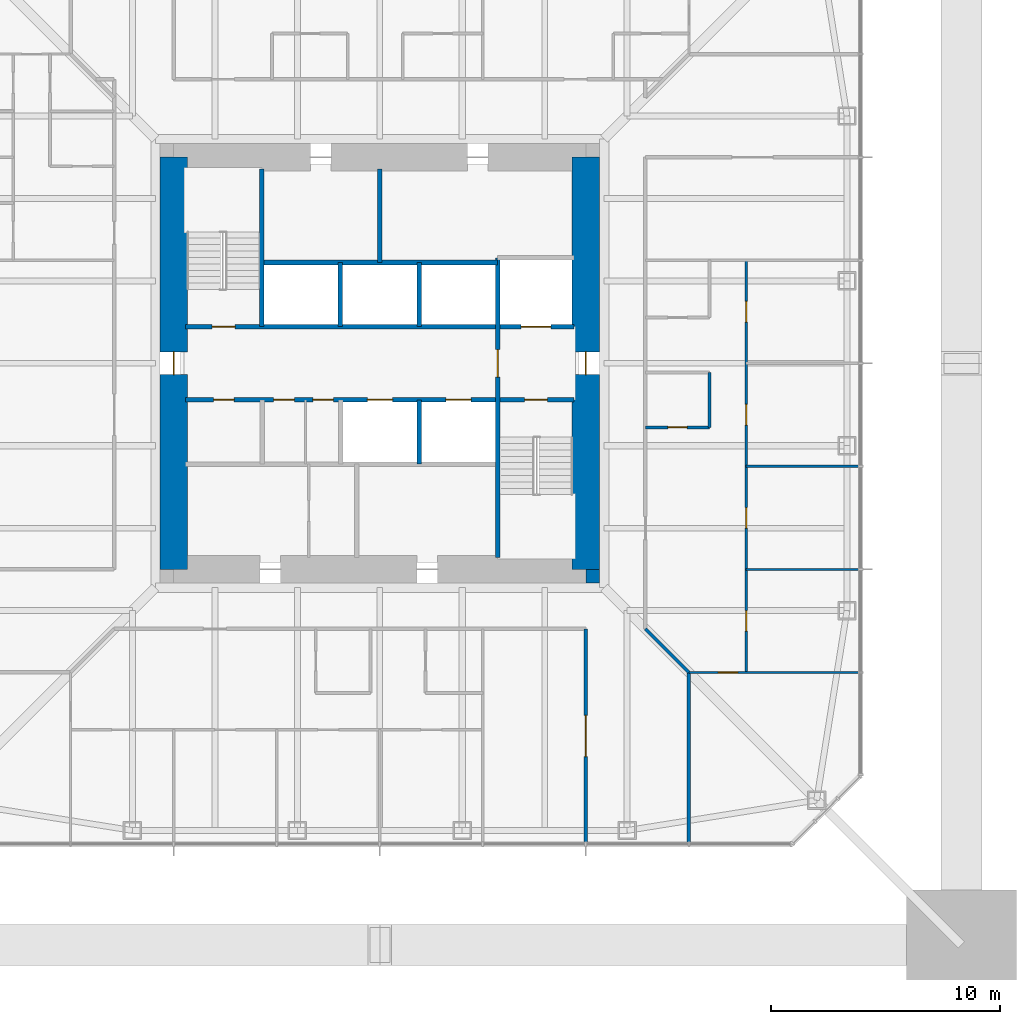
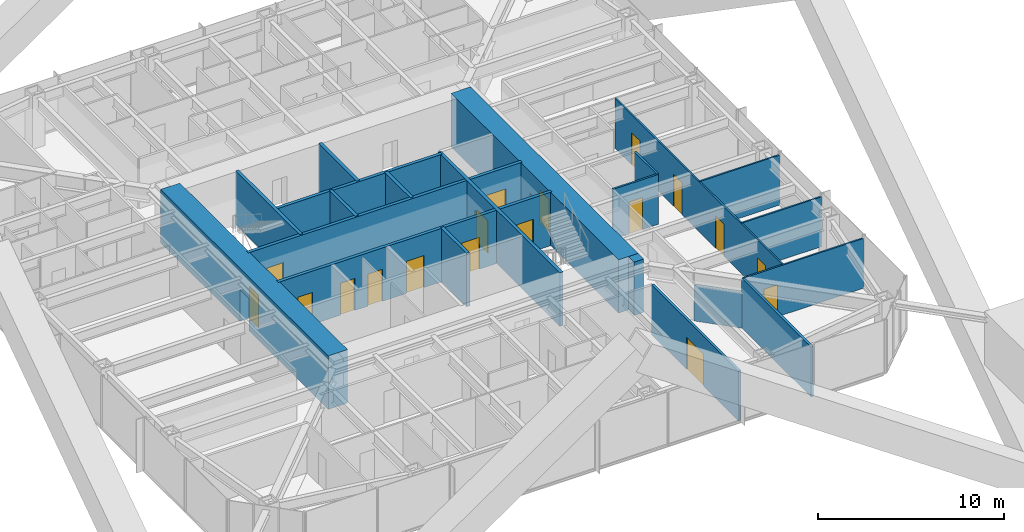
# One storey, part 15 of 26: 21 walls, 18 doors, 18 openings.
"""IFC4 building model written with IfcOpenShell, lengths in metres."""

import ifcopenshell
import ifcopenshell.guid

model = None  # the IFC model being written
_history = None  # IfcOwnerHistory: only IFC2X3 demands one
_inside = {}  # id of a spatial element -> (the spatial element, [elements in it])
_under = {}  # id of a project, library or spatial element -> (it, [spatial elements below it])
_declared = {}  # id of a project -> (the project, [libraries it declares])
_typed = {}  # id of a type object -> (the type object, [elements of that type])
_made_of = {}  # id of a material, layer set ... -> (it, [elements and type objects made of it])


def new_model(schema):
    """Start an empty IFC model of exactly this schema.

    Asked for "IFC4X3", IfcOpenShell would pick the latest addendum, in which some entities
    have other attributes; the version numbers below select the first issue.
    IFC2X3 requires an IfcOwnerHistory on every rooted entity: one is made here for all.
    """
    global model, _history
    if schema == "IFC4X3":
        model = ifcopenshell.file(schema_version=(4, 3, 0, 0))
    else:
        model = ifcopenshell.file(schema=schema)
    _inside.clear()
    _under.clear()
    _declared.clear()
    _typed.clear()
    _made_of.clear()
    _history = None
    if model.schema == "IFC2X3":
        org = make("IfcOrganization", Name="unknown")
        user = make(
            "IfcPersonAndOrganization",
            ThePerson=make("IfcPerson", FamilyName="unknown"),
            TheOrganization=org,
        )
        app = make(
            "IfcApplication",
            ApplicationDeveloper=org,
            Version="unknown",
            ApplicationFullName="unknown",
            ApplicationIdentifier="unknown",
        )
        _history = make(
            "IfcOwnerHistory",
            OwningUser=user,
            OwningApplication=app,
            ChangeAction="ADDED",
            CreationDate=0,
        )
    return model


def make(cls, **values):
    """One entity of the class cls with the attributes given. An attribute that is None is left unset."""
    return model.create_entity(
        cls, **{name: value for name, value in values.items() if value is not None}
    )


def rooted(cls, **values):
    """An entity with a GlobalId (a new one), such as an element, a storey or a relation."""
    return make(cls, GlobalId=ifcopenshell.guid.new(), OwnerHistory=_history, **values)


def si_unit(unit_type, name, prefix=None):
    """IfcSIUnit, for example si_unit("LENGTHUNIT", "METRE", prefix="MILLI")."""
    return make("IfcSIUnit", UnitType=unit_type, Prefix=prefix, Name=name)


def assignment(units):
    """IfcUnitAssignment: the units of a project."""
    return None if units is None else make("IfcUnitAssignment", Units=units)


def point(xyz):
    """IfcCartesianPoint."""
    return None if xyz is None else make("IfcCartesianPoint", Coordinates=xyz)


def direction(xyz):
    """IfcDirection."""
    return None if xyz is None else make("IfcDirection", DirectionRatios=xyz)


def frame(location, z_axis=None, x_axis=None):
    """IfcAxis2Placement3D, a coordinate frame: its origin and axes. An axis left out is left unset."""
    return make(
        "IfcAxis2Placement3D",
        Location=point(location),
        Axis=direction(z_axis),
        RefDirection=direction(x_axis),
    )


def frame_2d(location, x_axis=None):
    """IfcAxis2Placement2D, a coordinate frame in the plane: its origin and x axis."""
    return make(
        "IfcAxis2Placement2D", Location=point(location), RefDirection=direction(x_axis)
    )


def origin():
    """The frame at (0, 0, 0) with its axes left unset."""
    return frame((0.0, 0.0, 0.0))


def place(relative_to, where):
    """IfcLocalPlacement: puts the frame where relative to a parent placement (None: the world)."""
    return make(
        "IfcLocalPlacement", PlacementRelTo=relative_to, RelativePlacement=where
    )


def context(
    kind, dimensions, precision=None, world=None, true_north=None, identifier=None
):
    """IfcGeometricRepresentationContext, for example the 3D "Model" context."""
    return make(
        "IfcGeometricRepresentationContext",
        ContextIdentifier=identifier,
        ContextType=kind,
        CoordinateSpaceDimension=dimensions,
        Precision=precision,
        WorldCoordinateSystem=world,
        TrueNorth=true_north,
    )


def subcontext(parent, identifier, kind, view, scale=None):
    """IfcGeometricRepresentationSubContext, for example "Body" below "Model"."""
    return make(
        "IfcGeometricRepresentationSubContext",
        ContextIdentifier=identifier,
        ContextType=kind,
        ParentContext=parent,
        TargetScale=scale,
        TargetView=view,
    )


def project(units=None, contexts=None):
    """IfcProject with its units and contexts."""
    return rooted(
        "IfcProject",
        Name="project",
        RepresentationContexts=contexts,
        UnitsInContext=assignment(units),
    )


def spatial(cls, under=None, at=None, **own):
    """A site, building, storey or space (cls), placed at a placement, below another one or the project."""
    s = rooted(cls, ObjectPlacement=at, **own)
    if under is not None:
        _under.setdefault(under.id(), (under, []))[1].append(s)
    return s


def profile(cls, at=None, kind="AREA", **sizes):
    """A parametric profile (cls). Its sizes go by their IFC names, for example OverallWidth=200.0."""
    return make(cls, ProfileType=kind, Position=at, **sizes)


def rectangle(**sizes):
    """IfcRectangleProfileDef."""
    return profile("IfcRectangleProfileDef", **sizes)


def extrude(swept, where, along, depth):
    """IfcExtrudedAreaSolid: the profile swept, set in the frame where, extruded along a direction by depth."""
    return make(
        "IfcExtrudedAreaSolid",
        SweptArea=swept,
        Position=where,
        ExtrudedDirection=direction(along),
        Depth=depth,
    )


def shape(context_of_items, identifier, shape_type, items):
    """IfcShapeRepresentation: the items that make up one representation, for example the "Body"."""
    return make(
        "IfcShapeRepresentation",
        ContextOfItems=context_of_items,
        RepresentationIdentifier=identifier,
        RepresentationType=shape_type,
        Items=items,
    )


def material(Name=None, Category=None):
    """IfcMaterial."""
    return make("IfcMaterial", Name=Name, Category=Category)


def layer(
    of_material, thickness, ventilated=None, Name=None, Category=None, Priority=None
):
    """IfcMaterialLayer: one layer of a wall or slab, of a material (None: an air gap)."""
    return make(
        "IfcMaterialLayer",
        Material=of_material,
        LayerThickness=thickness,
        IsVentilated=ventilated,
        Name=Name,
        Category=Category,
        Priority=Priority,
    )


def layer_set(layers, Name=None):
    """IfcMaterialLayerSet."""
    return make("IfcMaterialLayerSet", MaterialLayers=layers, LayerSetName=Name)


def made_of(thing, what):
    """Note that an element or type object is made of a material, layer set ...; save() writes the relation."""
    if what is not None:
        _made_of.setdefault(what.id(), (what, []))[1].append(thing)
    return thing


def type_object(cls, material=None, **own):
    """A type object (cls), such as IfcWallType, which elements share."""
    return made_of(rooted(cls, **own), material)


def element(
    cls,
    number,
    at=None,
    inside=None,
    cuts=None,
    type_object=None,
    material=None,
    context=None,
    identifier="Body",
    shape_type=None,
    held_by="IfcProductDefinitionShape",
    body=None,
    shapes=None,
    **own,
):
    """One element of the class cls, such as IfcWall. Its Tag is "e" and its number.

    at: its placement. inside: the storey or other place that contains it. cuts: it is an
    opening in that element (IfcRelVoidsElement). A single representation is given by context,
    identifier, shape_type and body (its items); several are given by shapes. held_by: the class
    of the entity that holds the representations. save() writes the other relations.
    """
    e = rooted(cls, Tag="e%d" % number, ObjectPlacement=at, **own)
    if body is not None:
        shapes = [shape(context, identifier, shape_type, body)]
    if shapes is not None:
        e.Representation = make(held_by, Representations=shapes)
    if inside is not None:
        _inside.setdefault(inside.id(), (inside, []))[1].append(e)
    if cuts is not None:
        rooted(
            "IfcRelVoidsElement", RelatingBuildingElement=cuts, RelatedOpeningElement=e
        )
    if type_object is not None:
        _typed.setdefault(type_object.id(), (type_object, []))[1].append(e)
    return made_of(e, material)


def fill(opening, filler):
    """IfcRelFillsElement: the door or window that sits in an opening."""
    return rooted(
        "IfcRelFillsElement",
        RelatingOpeningElement=opening,
        RelatedBuildingElement=filler,
    )


def aggregate(whole, parts):
    """IfcRelAggregates: a whole, such as a stair, and the parts it consists of."""
    return rooted("IfcRelAggregates", RelatingObject=whole, RelatedObjects=parts)


def save(model, path):
    """Write the relations noted so far, then the file.

    IfcRelAggregates (storeys below a building ...), IfcRelContainedInSpatialStructure (elements
    in a storey), IfcRelDefinesByType, IfcRelAssociatesMaterial and IfcRelDeclares: one each for
    every whole, place, type object, material and project.
    """
    for whole, parts in _under.values():
        aggregate(whole, parts)
    for where, things in _inside.values():
        rooted(
            "IfcRelContainedInSpatialStructure",
            RelatedElements=things,
            RelatingStructure=where,
        )
    for kind, things in _typed.values():
        rooted("IfcRelDefinesByType", RelatedObjects=things, RelatingType=kind)
    for what, things in _made_of.values():
        rooted("IfcRelAssociatesMaterial", RelatedObjects=things, RelatingMaterial=what)
    for by, libraries in _declared.values():
        rooted("IfcRelDeclares", RelatingContext=by, RelatedDefinitions=libraries)
    model.write(path)


model = new_model("IFC4")

# Units and contexts
model_context = context("Model", 3, precision=1e-05, world=origin(), true_north=direction((0.0, 1.0)))
body_context = subcontext(model_context, "Body", "Model", "MODEL_VIEW")
ifc_project = project(units=[si_unit("LENGTHUNIT", "METRE"), si_unit("AREAUNIT", "SQUARE_METRE"), si_unit("VOLUMEUNIT", "CUBIC_METRE"), si_unit("PLANEANGLEUNIT", "RADIAN"), si_unit("MASSUNIT", "GRAM", prefix="KILO")], contexts=[model_context])

# Site, building, storey
site_placement = place(None, origin())
site = spatial("IfcSite", under=ifc_project, at=site_placement, CompositionType="ELEMENT")
building_placement = place(site_placement, origin())
building = spatial("IfcBuilding", under=site, at=building_placement, Name="Iwan Alto Co-Living Towers", CompositionType="ELEMENT")
storey_placement = place(building_placement, frame((0.0, 0.0, 115.5)))
storey = spatial("IfcBuildingStorey", under=building, at=storey_placement, Name="L31", CompositionType="ELEMENT", Elevation=115.5)

# Wall
ifc_material_1 = material(Name="Gypsum board")
ifc_layer_1 = layer(ifc_material_1, 0.02490234375, Name="Board", Category="Finish")
ifc_material_2 = material(Name="Steel ASTM A1003 ST33H cold-formed studs", Category="steel")
ifc_layer_2 = layer(ifc_material_2, 0.10009765625, Name="Studs", Category="Framing")
ifc_layer_3 = layer(ifc_material_1, 0.02490234375, Name="Board", Category="Finish")
ifc_layer_set_1 = layer_set([ifc_layer_1, ifc_layer_2, ifc_layer_3], Name="CORRIDOR WALL 150")
wall_type_1 = type_object("IfcWallType", Name="CORRIDOR WALL 150", PredefinedType="PARTITIONING", material=ifc_layer_set_1)
wall_1_placement = place(storey_placement, frame((13.5, -20.93994140625, 0.0), z_axis=(0.0, 0.0, 1.0), x_axis=(0.0, 1.0, 0.0)))
element("IfcWall", 1, at=wall_1_placement, inside=storey, type_object=wall_type_1, Name="Partition L31", PredefinedType="PARTITIONING", context=body_context, shape_type="SweptSolid", body=[
    extrude(rectangle(XDim=7.43994140625, YDim=0.14990234375, at=frame_2d((3.719970703125, 0.0))), origin(), (0.0, 0.0, 1.0), 3.27001953125),
])

# Wall, opening, door
wall_2_placement = place(storey_placement, frame((9.0, -20.93994140625, 0.0), z_axis=(0.0, 0.0, 1.0), x_axis=(0.0, 1.0, 0.0)))
wall_2 = element("IfcWall", 2, at=wall_2_placement, inside=storey, type_object=wall_type_1, Name="Partition L31", PredefinedType="PARTITIONING", context=body_context, shape_type="SweptSolid", body=[
    extrude(rectangle(XDim=9.33984375, YDim=0.14990234375, at=frame_2d((4.669921875, 0.0))), origin(), (0.0, 0.0, 1.0), 3.27001953125),
])
opening_1_placement = place(wall_2_placement, frame((3.77001953125, 0.0, 0.0)))
opening_1 = element("IfcOpeningElement", 3, at=opening_1_placement, cuts=wall_2, Name="Opening D9", PredefinedType="OPENING", context=body_context, shape_type="SweptSolid", body=[
    extrude(rectangle(XDim=1.800048828125, YDim=2.10009765625, at=frame_2d((0.89990234375, 1.050048828125))), frame((0.0, 0.0849609375, 0.0), z_axis=(0.0, -1.0, 0.0), x_axis=(1.0, 0.0, 0.0)), (0.0, 0.0, 1.0), 0.169921875),
])
ifc_material_3 = material(Name="Steel frame with timber leaf", Category="steel")
door_type_1 = type_object("IfcDoorType", Name="LOUNGE DOOR FD30S 1800X2100", OperationType="DOUBLE_DOOR_SINGLE_SWING", PredefinedType="DOOR", material=ifc_material_3)
door_1_placement = place(opening_1_placement, origin())
door_1 = element("IfcDoor", 4, at=door_1_placement, inside=storey, type_object=door_type_1, Name="Co-working room door L31", OperationType="DOUBLE_DOOR_SINGLE_SWING", OverallHeight=2.10009765625, OverallWidth=1.800048828125, PredefinedType="DOOR", context=body_context, shape_type="SweptSolid", body=[
    extrude(rectangle(XDim=1.800048828125, YDim=2.10009765625, at=frame_2d((0.89990234375, 1.050048828125))), frame((0.0, 0.02490234375, 0.0), z_axis=(0.0, -1.0, 0.0), x_axis=(1.0, 0.0, 0.0)), (0.0, 0.0, 1.0), 0.050048828125),
])
fill(opening_1, door_1)

# Wall
wall_3_placement = place(storey_placement, frame((13.5, -13.5, 0.0), z_axis=(0.0, 0.0, 1.0), x_axis=(-0.707106781187, 0.707106781187, 0.0)))
element("IfcWall", 5, at=wall_3_placement, inside=storey, type_object=wall_type_1, Name="Partition L31", PredefinedType="PARTITIONING", context=body_context, shape_type="SweptSolid", body=[
    extrude(rectangle(XDim=2.686767578125, YDim=0.14990234375, at=frame_2d((1.34326171875, 0.0))), origin(), (0.0, 0.0, 1.0), 2.343017578125),
])

# Wall, opening, door
ifc_layer_4 = layer(ifc_material_1, 0.012451171875, Name="Board", Category="Finish")
ifc_layer_5 = layer(ifc_material_2, 0.074951171875, Name="Studs", Category="Framing")
ifc_layer_6 = layer(ifc_material_1, 0.012451171875, Name="Board", Category="Finish")
ifc_layer_set_2 = layer_set([ifc_layer_4, ifc_layer_5, ifc_layer_6], Name="PARTITION 100")
wall_type_2 = type_object("IfcWallType", Name="PARTITION 100", PredefinedType="PARTITIONING", material=ifc_layer_set_2)
wall_4_placement = place(storey_placement, frame((13.5, -13.5, 0.0), z_axis=(0.0, 0.0, 1.0), x_axis=(1.0, 0.0, 0.0)))
wall_4 = element("IfcWall", 6, at=wall_4_placement, inside=storey, type_object=wall_type_2, Name="Partition L31", PredefinedType="PARTITIONING", context=body_context, shape_type="SweptSolid", body=[
    extrude(rectangle(XDim=7.43994140625, YDim=0.10009765625, at=frame_2d((3.719970703125, 0.0))), origin(), (0.0, 0.0, 1.0), 3.27001953125),
])
opening_2_placement = place(wall_4_placement, frame((1.27490234375, 0.0, 0.0)))
opening_2 = element("IfcOpeningElement", 7, at=opening_2_placement, cuts=wall_4, Name="Opening D2", PredefinedType="OPENING", context=body_context, shape_type="SweptSolid", body=[
    extrude(rectangle(XDim=0.85009765625, YDim=2.10009765625, at=frame_2d((0.425048828125, 1.050048828125))), frame((0.0, 0.06005859375, 0.0), z_axis=(0.0, -1.0, 0.0), x_axis=(1.0, 0.0, 0.0)), (0.0, 0.0, 1.0), 0.1201171875),
])
ifc_material_4 = material(Name="Timber leaf in steel frame", Category="steel")
door_type_2 = type_object("IfcDoorType", Name="ROOM DOOR 850X2100", OperationType="SINGLE_SWING_LEFT", PredefinedType="DOOR", material=ifc_material_4)
door_2_placement = place(opening_2_placement, origin())
door_2 = element("IfcDoor", 8, at=door_2_placement, inside=storey, type_object=door_type_2, Name="Shared kitchen and lounge door L31", OperationType="SINGLE_SWING_RIGHT", OverallHeight=2.10009765625, OverallWidth=0.85009765625, PredefinedType="DOOR", context=body_context, shape_type="SweptSolid", body=[
    extrude(rectangle(XDim=0.85009765625, YDim=2.10009765625, at=frame_2d((0.425048828125, 1.050048828125))), frame((0.0, 0.02490234375, 0.0), z_axis=(0.0, -1.0, 0.0), x_axis=(1.0, 0.0, 0.0)), (0.0, 0.0, 1.0), 0.050048828125),
])
fill(opening_2, door_2)

# Walls
for number, where, z_axis, x_axis, name in (
    (9, (16.0, -9.0, 0.0), (0.0, 0.0, 1.0), (1.0, 0.0, 0.0), "Partition L31"),
    (10, (16.0, -4.5, 0.0), (0.0, 0.0, 1.0), (1.0, 0.0, 0.0), "Partition L31"),
):
    element("IfcWall", number, at=place(storey_placement, frame(where, z_axis=z_axis, x_axis=x_axis)), inside=storey, type_object=wall_type_2, Name=name, PredefinedType="PARTITIONING", context=body_context, shape_type="SweptSolid", body=[
        extrude(rectangle(XDim=4.93994140625, YDim=0.10009765625, at=frame_2d((2.469970703125, 0.0))), origin(), (0.0, 0.0, 1.0), 3.27001953125),
    ])

# Wall, openings, doors
wall_5_placement = place(storey_placement, frame((16.0, -13.5, 0.0), z_axis=(0.0, 0.0, 1.0), x_axis=(0.0, 1.0, 0.0)))
wall_5 = element("IfcWall", 11, at=wall_5_placement, inside=storey, type_object=wall_type_2, Name="Partition L31", PredefinedType="PARTITIONING", context=body_context, shape_type="SweptSolid", body=[
    extrude(rectangle(XDim=18.0, YDim=0.10009765625, at=frame_2d((9.0, 0.0))), origin(), (0.0, 0.0, 1.0), 3.27001953125),
])
opening_3_placement = place(wall_5_placement, frame((1.800048828125, 0.0, 0.0)))
opening_3 = element("IfcOpeningElement", 12, at=opening_3_placement, cuts=wall_5, Name="Opening D1", PredefinedType="OPENING", context=body_context, shape_type="SweptSolid", body=[
    extrude(rectangle(XDim=0.89990234375, YDim=2.10009765625, at=frame_2d((0.449951171875, 1.050048828125))), frame((0.0, 0.06005859375, 0.0), z_axis=(0.0, -1.0, 0.0), x_axis=(1.0, 0.0, 0.0)), (0.0, 0.0, 1.0), 0.1201171875),
])
opening_4_placement = place(wall_5_placement, frame((6.300048828125, 0.0, 0.0)))
opening_4 = element("IfcOpeningElement", 13, at=opening_4_placement, cuts=wall_5, Name="Opening D1", PredefinedType="OPENING", context=body_context, shape_type="SweptSolid", body=[
    extrude(rectangle(XDim=0.89990234375, YDim=2.10009765625, at=frame_2d((0.449951171875, 1.050048828125))), frame((0.0, 0.06005859375, 0.0), z_axis=(0.0, -1.0, 0.0), x_axis=(1.0, 0.0, 0.0)), (0.0, 0.0, 1.0), 0.1201171875),
])
opening_5_placement = place(wall_5_placement, frame((10.800048828125, 0.0, 0.0)))
opening_5 = element("IfcOpeningElement", 14, at=opening_5_placement, cuts=wall_5, Name="Opening D1", PredefinedType="OPENING", context=body_context, shape_type="SweptSolid", body=[
    extrude(rectangle(XDim=0.89990234375, YDim=2.10009765625, at=frame_2d((0.449951171875, 1.050048828125))), frame((0.0, 0.06005859375, 0.0), z_axis=(0.0, -1.0, 0.0), x_axis=(1.0, 0.0, 0.0)), (0.0, 0.0, 1.0), 0.1201171875),
])
opening_6_placement = place(wall_5_placement, frame((15.300048828125, 0.0, 0.0)))
opening_6 = element("IfcOpeningElement", 15, at=opening_6_placement, cuts=wall_5, Name="Opening D1", PredefinedType="OPENING", context=body_context, shape_type="SweptSolid", body=[
    extrude(rectangle(XDim=0.89990234375, YDim=2.10009765625, at=frame_2d((0.449951171875, 1.050048828125))), frame((0.0, 0.06005859375, 0.0), z_axis=(0.0, -1.0, 0.0), x_axis=(1.0, 0.0, 0.0)), (0.0, 0.0, 1.0), 0.1201171875),
])
ifc_material_5 = material(Name="Timber leaf in steel frame", Category="steel")
door_type_3 = type_object("IfcDoorType", Name="BEDROOM DOOR 900X2100", OperationType="SINGLE_SWING_LEFT", PredefinedType="DOOR", material=ifc_material_5)
door_3_placement = place(opening_3_placement, origin())
door_3 = element("IfcDoor", 16, at=door_3_placement, inside=storey, type_object=door_type_3, Name="Study bedroom door L31", OperationType="SINGLE_SWING_LEFT", OverallHeight=2.10009765625, OverallWidth=0.89990234375, PredefinedType="DOOR", context=body_context, shape_type="SweptSolid", body=[
    extrude(rectangle(XDim=0.89990234375, YDim=2.10009765625, at=frame_2d((0.449951171875, 1.050048828125))), frame((0.0, 0.02490234375, 0.0), z_axis=(0.0, -1.0, 0.0), x_axis=(1.0, 0.0, 0.0)), (0.0, 0.0, 1.0), 0.050048828125),
])
fill(opening_3, door_3)
door_4_placement = place(opening_4_placement, origin())
door_4 = element("IfcDoor", 17, at=door_4_placement, inside=storey, type_object=door_type_3, Name="Study bedroom door L31", OperationType="SINGLE_SWING_LEFT", OverallHeight=2.10009765625, OverallWidth=0.89990234375, PredefinedType="DOOR", context=body_context, shape_type="SweptSolid", body=[
    extrude(rectangle(XDim=0.89990234375, YDim=2.10009765625, at=frame_2d((0.449951171875, 1.050048828125))), frame((0.0, 0.02490234375, 0.0), z_axis=(0.0, -1.0, 0.0), x_axis=(1.0, 0.0, 0.0)), (0.0, 0.0, 1.0), 0.050048828125),
])
fill(opening_4, door_4)
door_5_placement = place(opening_5_placement, origin())
door_5 = element("IfcDoor", 18, at=door_5_placement, inside=storey, type_object=door_type_3, Name="Study bedroom door L31", OperationType="SINGLE_SWING_RIGHT", OverallHeight=2.10009765625, OverallWidth=0.89990234375, PredefinedType="DOOR", context=body_context, shape_type="SweptSolid", body=[
    extrude(rectangle(XDim=0.89990234375, YDim=2.10009765625, at=frame_2d((0.449951171875, 1.050048828125))), frame((0.0, 0.02490234375, 0.0), z_axis=(0.0, -1.0, 0.0), x_axis=(1.0, 0.0, 0.0)), (0.0, 0.0, 1.0), 0.050048828125),
])
fill(opening_5, door_5)
door_6_placement = place(opening_6_placement, origin())
door_6 = element("IfcDoor", 19, at=door_6_placement, inside=storey, type_object=door_type_3, Name="Study bedroom door L31", OperationType="SINGLE_SWING_RIGHT", OverallHeight=2.10009765625, OverallWidth=0.89990234375, PredefinedType="DOOR", context=body_context, shape_type="SweptSolid", body=[
    extrude(rectangle(XDim=0.89990234375, YDim=2.10009765625, at=frame_2d((0.449951171875, 1.050048828125))), frame((0.0, 0.02490234375, 0.0), z_axis=(0.0, -1.0, 0.0), x_axis=(1.0, 0.0, 0.0)), (0.0, 0.0, 1.0), 0.050048828125),
])
fill(opening_6, door_6)

ifc_material_6 = material(Name="Concrete f'c 70 MPa", Category="concrete")
ifc_layer_7 = layer(ifc_material_6, 0.199951171875)
ifc_layer_set_3 = layer_set([ifc_layer_7], Name="SHAFT WALL 200")
wall_type_3 = type_object("IfcWallType", Name="SHAFT WALL 200", PredefinedType="SOLIDWALL", material=ifc_layer_set_3)
wall_6_placement = place(storey_placement, frame((-8.489990234375, -1.60009765625, 0.0), z_axis=(0.0, 0.0, 1.0), x_axis=(1.0, 0.0, 0.0)))
wall_6 = element("IfcWall", 20, at=wall_6_placement, inside=storey, type_object=wall_type_3, Name="Shaft wall L31", PredefinedType="SOLIDWALL", context=body_context, shape_type="SweptSolid", body=[
    extrude(rectangle(XDim=16.97998046875, YDim=0.199951171875, at=frame_2d((8.489990234375, 0.0))), origin(), (0.0, 0.0, 1.0), 3.5),
])
opening_7_placement = place(wall_6_placement, frame((14.81005859375, 0.0, 0.0)))
opening_7 = element("IfcOpeningElement", 21, at=opening_7_placement, cuts=wall_6, Name="Opening D5", PredefinedType="OPENING", context=body_context, shape_type="SweptSolid", body=[
    extrude(rectangle(XDim=1.0, YDim=2.10009765625, at=frame_2d((0.5, 1.050048828125))), frame((0.0, 0.10986328125, 0.0), z_axis=(0.0, -1.0, 0.0), x_axis=(1.0, 0.0, 0.0)), (0.0, 0.0, 1.0), 0.219970703125),
])
opening_8_placement = place(wall_6_placement, frame((1.23193359375, 0.0, 0.0)))
opening_8 = element("IfcOpeningElement", 22, at=opening_8_placement, cuts=wall_6, Name="Opening D15", PredefinedType="OPENING", context=body_context, shape_type="SweptSolid", body=[
    extrude(rectangle(XDim=0.89990234375, YDim=2.10009765625, at=frame_2d((0.449951171875, 1.050048828125))), frame((0.0, 0.10986328125, 0.0), z_axis=(0.0, -1.0, 0.0), x_axis=(1.0, 0.0, 0.0)), (0.0, 0.0, 1.0), 0.219970703125),
])
opening_9_placement = place(wall_6_placement, frame((5.570068359375, 0.0, 0.0)))
opening_9 = element("IfcOpeningElement", 23, at=opening_9_placement, cuts=wall_6, Name="Opening D15", PredefinedType="OPENING", context=body_context, shape_type="SweptSolid", body=[
    extrude(rectangle(XDim=0.89990234375, YDim=2.10009765625, at=frame_2d((0.449951171875, 1.050048828125))), frame((0.0, 0.10986328125, 0.0), z_axis=(0.0, -1.0, 0.0), x_axis=(1.0, 0.0, 0.0)), (0.0, 0.0, 1.0), 0.219970703125),
])
opening_10_placement = place(wall_6_placement, frame((3.85693359375, 0.0, 0.0)))
opening_10 = element("IfcOpeningElement", 24, at=opening_10_placement, cuts=wall_6, Name="Opening D15", PredefinedType="OPENING", context=body_context, shape_type="SweptSolid", body=[
    extrude(rectangle(XDim=0.89990234375, YDim=2.10009765625, at=frame_2d((0.449951171875, 1.050048828125))), frame((0.0, 0.10986328125, 0.0), z_axis=(0.0, -1.0, 0.0), x_axis=(1.0, 0.0, 0.0)), (0.0, 0.0, 1.0), 0.219970703125),
])
opening_11_placement = place(wall_6_placement, frame((7.952880859375, 0.0, 0.0)))
opening_11 = element("IfcOpeningElement", 25, at=opening_11_placement, cuts=wall_6, Name="Opening LD", PredefinedType="OPENING", context=body_context, shape_type="SweptSolid", body=[
    extrude(rectangle(XDim=1.10009765625, YDim=2.10009765625, at=frame_2d((0.550048828125, 1.050048828125))), frame((0.0, 0.10986328125, 0.0), z_axis=(0.0, -1.0, 0.0), x_axis=(1.0, 0.0, 0.0)), (0.0, 0.0, 1.0), 0.219970703125),
])
opening_12_placement = place(wall_6_placement, frame((11.3779296875, 0.0, 0.0)))
opening_12 = element("IfcOpeningElement", 26, at=opening_12_placement, cuts=wall_6, Name="Opening LD", PredefinedType="OPENING", context=body_context, shape_type="SweptSolid", body=[
    extrude(rectangle(XDim=1.10009765625, YDim=2.10009765625, at=frame_2d((0.550048828125, 1.050048828125))), frame((0.0, 0.10986328125, 0.0), z_axis=(0.0, -1.0, 0.0), x_axis=(1.0, 0.0, 0.0)), (0.0, 0.0, 1.0), 0.219970703125),
])
ifc_material_7 = material(Name="Steel frame with timber leaf", Category="steel")
door_type_4 = type_object("IfcDoorType", Name="CORE ROOM DOOR FD60S 900X2100", OperationType="SINGLE_SWING_LEFT", PredefinedType="DOOR", material=ifc_material_7)
door_7_placement = place(opening_8_placement, frame((0.89990234375, 0.0, 0.0), z_axis=(0.0, 0.0, 1.0), x_axis=(-1.0, 0.0, 0.0)))
door_7 = element("IfcDoor", 27, at=door_7_placement, inside=storey, type_object=door_type_4, Name="Guest pantry door L31", OperationType="SINGLE_SWING_LEFT", OverallHeight=2.10009765625, OverallWidth=0.89990234375, PredefinedType="DOOR", context=body_context, shape_type="SweptSolid", body=[
    extrude(rectangle(XDim=0.89990234375, YDim=2.10009765625, at=frame_2d((0.449951171875, 1.050048828125))), frame((0.0, 0.02490234375, 0.0), z_axis=(0.0, -1.0, 0.0), x_axis=(1.0, 0.0, 0.0)), (0.0, 0.0, 1.0), 0.050048828125),
])
fill(opening_8, door_7)
door_8_placement = place(opening_9_placement, frame((0.89990234375, 0.0, 0.0), z_axis=(0.0, 0.0, 1.0), x_axis=(-1.0, 0.0, 0.0)))
door_8 = element("IfcDoor", 28, at=door_8_placement, inside=storey, type_object=door_type_4, Name="Cleaner's store door L31", OperationType="SINGLE_SWING_RIGHT", OverallHeight=2.10009765625, OverallWidth=0.89990234375, PredefinedType="DOOR", context=body_context, shape_type="SweptSolid", body=[
    extrude(rectangle(XDim=0.89990234375, YDim=2.10009765625, at=frame_2d((0.449951171875, 1.050048828125))), frame((0.0, 0.02490234375, 0.0), z_axis=(0.0, -1.0, 0.0), x_axis=(1.0, 0.0, 0.0)), (0.0, 0.0, 1.0), 0.050048828125),
])
fill(opening_9, door_8)
door_9_placement = place(opening_10_placement, frame((0.89990234375, 0.0, 0.0), z_axis=(0.0, 0.0, 1.0), x_axis=(-1.0, 0.0, 0.0)))
door_9 = element("IfcDoor", 29, at=door_9_placement, inside=storey, type_object=door_type_4, Name="Linen store door L31", OperationType="SINGLE_SWING_RIGHT", OverallHeight=2.10009765625, OverallWidth=0.89990234375, PredefinedType="DOOR", context=body_context, shape_type="SweptSolid", body=[
    extrude(rectangle(XDim=0.89990234375, YDim=2.10009765625, at=frame_2d((0.449951171875, 1.050048828125))), frame((0.0, 0.02490234375, 0.0), z_axis=(0.0, -1.0, 0.0), x_axis=(1.0, 0.0, 0.0)), (0.0, 0.0, 1.0), 0.050048828125),
])
fill(opening_10, door_9)
ifc_material_8 = material(Name="Steel frame with timber leaf", Category="steel")
door_type_5 = type_object("IfcDoorType", Name="LIFT LANDING DOOR 1100X2100", OperationType="DOUBLE_DOOR_SLIDING", PredefinedType="DOOR", material=ifc_material_8)
door_10_placement = place(opening_11_placement, origin())
door_10 = element("IfcDoor", 30, at=door_10_placement, inside=storey, type_object=door_type_5, Name="Lift P2-3 landing door L31", OperationType="DOUBLE_DOOR_SLIDING", OverallHeight=2.10009765625, OverallWidth=1.10009765625, PredefinedType="DOOR", context=body_context, shape_type="SweptSolid", body=[
    extrude(rectangle(XDim=1.10009765625, YDim=2.10009765625, at=frame_2d((0.550048828125, 1.050048828125))), frame((0.0, 0.02490234375, 0.0), z_axis=(0.0, -1.0, 0.0), x_axis=(1.0, 0.0, 0.0)), (0.0, 0.0, 1.0), 0.050048828125),
])
fill(opening_11, door_10)
door_11_placement = place(opening_12_placement, origin())
door_11 = element("IfcDoor", 31, at=door_11_placement, inside=storey, type_object=door_type_5, Name="Lift P2-4 landing door L31", OperationType="DOUBLE_DOOR_SLIDING", OverallHeight=2.10009765625, OverallWidth=1.10009765625, PredefinedType="DOOR", context=body_context, shape_type="SweptSolid", body=[
    extrude(rectangle(XDim=1.10009765625, YDim=2.10009765625, at=frame_2d((0.550048828125, 1.050048828125))), frame((0.0, 0.02490234375, 0.0), z_axis=(0.0, -1.0, 0.0), x_axis=(1.0, 0.0, 0.0)), (0.0, 0.0, 1.0), 0.050048828125),
])
fill(opening_12, door_11)
ifc_material_9 = material(Name="Steel frame with timber leaf", Category="steel")
door_type_6 = type_object("IfcDoorType", Name="STAIR DOOR FD120S 1000X2100", OperationType="SINGLE_SWING_LEFT", PredefinedType="DOOR", material=ifc_material_9)
door_12_placement = place(opening_7_placement, frame((1.0, 0.0, 0.0), z_axis=(0.0, 0.0, 1.0), x_axis=(-1.0, 0.0, 0.0)))
door_12 = element("IfcDoor", 32, at=door_12_placement, inside=storey, type_object=door_type_6, Name="Stair S2 door L31", OperationType="SINGLE_SWING_RIGHT", OverallHeight=2.10009765625, OverallWidth=1.0, PredefinedType="DOOR", context=body_context, shape_type="SweptSolid", body=[
    extrude(rectangle(XDim=1.0, YDim=2.10009765625, at=frame_2d((0.5, 1.050048828125))), frame((0.0, 0.02490234375, 0.0), z_axis=(0.0, -1.0, 0.0), x_axis=(1.0, 0.0, 0.0)), (0.0, 0.0, 1.0), 0.050048828125),
])
fill(opening_7, door_12)

wall_7_placement = place(storey_placement, frame((-8.489990234375, 1.60009765625, 0.0), z_axis=(0.0, 0.0, 1.0), x_axis=(1.0, 0.0, 0.0)))
wall_7 = element("IfcWall", 33, at=wall_7_placement, inside=storey, type_object=wall_type_3, Name="Shaft wall L31", PredefinedType="SOLIDWALL", context=body_context, shape_type="SweptSolid", body=[
    extrude(rectangle(XDim=16.97998046875, YDim=0.199951171875, at=frame_2d((8.489990234375, 0.0))), origin(), (0.0, 0.0, 1.0), 3.5),
])
opening_13_placement = place(wall_7_placement, frame((1.169921875, 0.0, 0.0)))
opening_13 = element("IfcOpeningElement", 34, at=opening_13_placement, cuts=wall_7, Name="Opening D5", PredefinedType="OPENING", context=body_context, shape_type="SweptSolid", body=[
    extrude(rectangle(XDim=1.0, YDim=2.10009765625, at=frame_2d((0.5, 1.050048828125))), frame((0.0, 0.10986328125, 0.0), z_axis=(0.0, -1.0, 0.0), x_axis=(1.0, 0.0, 0.0)), (0.0, 0.0, 1.0), 0.219970703125),
])
opening_14_placement = place(wall_7_placement, frame((14.659912109375, 0.0, 0.0)))
opening_14 = element("IfcOpeningElement", 35, at=opening_14_placement, cuts=wall_7, Name="Opening LD2", PredefinedType="OPENING", context=body_context, shape_type="SweptSolid", body=[
    extrude(rectangle(XDim=1.300048828125, YDim=2.10009765625, at=frame_2d((0.64990234375, 1.050048828125))), frame((0.0, 0.10986328125, 0.0), z_axis=(0.0, -1.0, 0.0), x_axis=(1.0, 0.0, 0.0)), (0.0, 0.0, 1.0), 0.219970703125),
])
ifc_material_10 = material(Name="Steel frame with timber leaf", Category="steel")
door_type_7 = type_object("IfcDoorType", Name="LIFT LANDING DOOR 1300X2100", OperationType="SLIDING_TO_LEFT", PredefinedType="DOOR", material=ifc_material_10)
door_13_placement = place(opening_14_placement, origin())
door_13 = element("IfcDoor", 36, at=door_13_placement, inside=storey, type_object=door_type_7, Name="Lift FL1 landing door L31", OperationType="SLIDING_TO_LEFT", OverallHeight=2.10009765625, OverallWidth=1.300048828125, PredefinedType="DOOR", context=body_context, shape_type="SweptSolid", body=[
    extrude(rectangle(XDim=1.300048828125, YDim=2.10009765625, at=frame_2d((0.64990234375, 1.050048828125))), frame((0.0, 0.02490234375, 0.0), z_axis=(0.0, -1.0, 0.0), x_axis=(1.0, 0.0, 0.0)), (0.0, 0.0, 1.0), 0.050048828125),
])
fill(opening_14, door_13)
door_14_placement = place(opening_13_placement, origin())
door_14 = element("IfcDoor", 37, at=door_14_placement, inside=storey, type_object=door_type_6, Name="Stair S1 door L31", OperationType="SINGLE_SWING_RIGHT", OverallHeight=2.10009765625, OverallWidth=1.0, PredefinedType="DOOR", context=body_context, shape_type="SweptSolid", body=[
    extrude(rectangle(XDim=1.0, YDim=2.10009765625, at=frame_2d((0.5, 1.050048828125))), frame((0.0, 0.02490234375, 0.0), z_axis=(0.0, -1.0, 0.0), x_axis=(1.0, 0.0, 0.0)), (0.0, 0.0, 1.0), 0.050048828125),
])
fill(opening_13, door_14)

# Wall
wall_8_placement = place(storey_placement, frame((-5.14990234375, 4.39990234375, 0.0), z_axis=(0.0, 0.0, 1.0), x_axis=(1.0, 0.0, 0.0)))
element("IfcWall", 38, at=wall_8_placement, inside=storey, type_object=wall_type_3, Name="Shaft wall L31", PredefinedType="SOLIDWALL", context=body_context, shape_type="SweptSolid", body=[
    extrude(rectangle(XDim=10.2998046875, YDim=0.199951171875, at=frame_2d((5.14990234375, 0.0))), origin(), (0.0, 0.0, 1.0), 3.5),
])

# Wall, opening, door
wall_9_placement = place(storey_placement, frame((5.14990234375, -8.489990234375, 0.0), z_axis=(0.0, 0.0, 1.0), x_axis=(0.0, 1.0, 0.0)))
wall_9 = element("IfcWall", 39, at=wall_9_placement, inside=storey, type_object=wall_type_3, Name="Shaft wall L31", PredefinedType="SOLIDWALL", context=body_context, shape_type="SweptSolid", body=[
    extrude(rectangle(XDim=13.090087890625, YDim=0.199951171875, at=frame_2d((6.544921875, 0.0))), origin(), (0.0, 0.0, 1.0), 3.5),
])
opening_15_placement = place(wall_9_placement, frame((7.889892578125, 0.0, 0.0)))
opening_15 = element("IfcOpeningElement", 40, at=opening_15_placement, cuts=wall_9, Name="Opening D6", PredefinedType="OPENING", context=body_context, shape_type="SweptSolid", body=[
    extrude(rectangle(XDim=1.199951171875, YDim=2.10009765625, at=frame_2d((0.60009765625, 1.050048828125))), frame((0.0, 0.10986328125, 0.0), z_axis=(0.0, -1.0, 0.0), x_axis=(1.0, 0.0, 0.0)), (0.0, 0.0, 1.0), 0.219970703125),
])
ifc_material_11 = material(Name="Steel frame with timber leaf", Category="steel")
door_type_8 = type_object("IfcDoorType", Name="LOBBY DOOR FD120S 1200X2100", OperationType="SINGLE_SWING_LEFT", PredefinedType="DOOR", material=ifc_material_11)
door_15_placement = place(opening_15_placement, frame((1.199951171875, 0.0, 0.0), z_axis=(0.0, 0.0, 1.0), x_axis=(-1.0, 0.0, 0.0)))
door_15 = element("IfcDoor", 41, at=door_15_placement, inside=storey, type_object=door_type_8, Name="Firefighting lobby door L31", OperationType="SINGLE_SWING_RIGHT", OverallHeight=2.10009765625, OverallWidth=1.199951171875, PredefinedType="DOOR", context=body_context, shape_type="SweptSolid", body=[
    extrude(rectangle(XDim=1.199951171875, YDim=2.10009765625, at=frame_2d((0.60009765625, 1.050048828125))), frame((0.0, 0.02490234375, 0.0), z_axis=(0.0, -1.0, 0.0), x_axis=(1.0, 0.0, 0.0)), (0.0, 0.0, 1.0), 0.050048828125),
])
fill(opening_15, door_15)

# Walls
for number, where, z_axis, x_axis, name in (
    (42, (1.72509765625, -4.39990234375, 0.0), (0.0, 0.0, 1.0), (0.0, 1.0, 0.0), "Shaft wall L31"),
    (43, (1.717041015625, 1.60009765625, 0.0), (0.0, 0.0, 1.0), (0.0, 1.0, 0.0), "Shaft wall L31"),
):
    element("IfcWall", number, at=place(storey_placement, frame(where, z_axis=z_axis, x_axis=x_axis)), inside=storey, type_object=wall_type_3, Name=name, PredefinedType="SOLIDWALL", context=body_context, shape_type="SweptSolid", body=[
        extrude(rectangle(XDim=2.7998046875, YDim=0.199951171875, at=frame_2d((1.39990234375, 0.0))), origin(), (0.0, 0.0, 1.0), 3.5),
    ])
wall_10_placement = place(storey_placement, frame((0.0, 4.39990234375, 0.0), z_axis=(0.0, 0.0, 1.0), x_axis=(0.0, 1.0, 0.0)))
element("IfcWall", 44, at=wall_10_placement, inside=storey, type_object=wall_type_3, Name="Shaft wall L31", PredefinedType="SOLIDWALL", context=body_context, shape_type="SweptSolid", body=[
    extrude(rectangle(XDim=4.090087890625, YDim=0.199951171875, at=frame_2d((2.044921875, 0.0))), origin(), (0.0, 0.0, 1.0), 3.5),
])
wall_11_placement = place(storey_placement, frame((-1.717041015625, 1.60009765625, 0.0), z_axis=(0.0, 0.0, 1.0), x_axis=(0.0, 1.0, 0.0)))
element("IfcWall", 45, at=wall_11_placement, inside=storey, type_object=wall_type_3, Name="Shaft wall L31", PredefinedType="SOLIDWALL", context=body_context, shape_type="SweptSolid", body=[
    extrude(rectangle(XDim=2.7998046875, YDim=0.199951171875, at=frame_2d((1.39990234375, 0.0))), origin(), (0.0, 0.0, 1.0), 3.5),
])
wall_12_placement = place(storey_placement, frame((-5.14990234375, 1.60009765625, 0.0), z_axis=(0.0, 0.0, 1.0), x_axis=(0.0, 1.0, 0.0)))
element("IfcWall", 46, at=wall_12_placement, inside=storey, type_object=wall_type_3, Name="Shaft wall L31", PredefinedType="SOLIDWALL", context=body_context, shape_type="SweptSolid", body=[
    extrude(rectangle(XDim=6.889892578125, YDim=0.199951171875, at=frame_2d((3.44482421875, 0.0))), origin(), (0.0, 0.0, 1.0), 3.5),
])
ifc_material_12 = material(Name="Concrete f'c 70 MPa", Category="concrete")
ifc_layer_8 = layer(ifc_material_12, 0.60009765625)
ifc_layer_set_4 = layer_set([ifc_layer_8], Name="T1 CORE CORNER FILL 600")
wall_type_4 = type_object("IfcWallType", Name="T1 CORE CORNER FILL 600", PredefinedType="SOLIDWALL", material=ifc_layer_set_4)
wall_13_placement = place(storey_placement, frame((9.0, -9.300048828125, 0.0), z_axis=(0.0, 0.0, 1.0), x_axis=(1.0, 0.0, 0.0)))
element("IfcWall", 47, at=wall_13_placement, inside=storey, type_object=wall_type_4, Name="T1 core corner SE L31", PredefinedType="SOLIDWALL", context=body_context, shape_type="SweptSolid", body=[
    extrude(rectangle(XDim=0.60009765625, YDim=0.60009765625, at=frame_2d((0.300048828125, 0.0))), origin(), (0.0, 0.0, 1.0), 3.5),
])

# Wall, opening, door
ifc_material_13 = material(Name="Concrete f'c 70 MPa", Category="concrete")
ifc_layer_9 = layer(ifc_material_13, 1.199951171875)
ifc_layer_set_5 = layer_set([ifc_layer_9], Name="T1 CORE WALL 1200")
wall_type_5 = type_object("IfcWallType", Name="T1 CORE WALL 1200", PredefinedType="SHEAR", material=ifc_layer_set_5)
wall_14_placement = place(storey_placement, frame((9.0, -9.0, 0.0), z_axis=(0.0, 0.0, 1.0), x_axis=(0.0, 1.0, 0.0)))
wall_14 = element("IfcWall", 48, at=wall_14_placement, inside=storey, type_object=wall_type_5, Name="T1 core wall E L31", PredefinedType="SHEAR", context=body_context, shape_type="SweptSolid", body=[
    extrude(rectangle(XDim=18.0, YDim=1.199951171875, at=frame_2d((9.0, 0.0))), origin(), (0.0, 0.0, 1.0), 3.5),
])
opening_16_placement = place(wall_14_placement, frame((8.5, 0.0, 0.0)))
opening_16 = element("IfcOpeningElement", 49, at=opening_16_placement, cuts=wall_14, Name="Opening D7", PredefinedType="OPENING", context=body_context, shape_type="SweptSolid", body=[
    extrude(rectangle(XDim=1.0, YDim=2.10009765625, at=frame_2d((0.5, 1.050048828125))), frame((0.0, 0.60986328125, 0.0), z_axis=(0.0, -1.0, 0.0), x_axis=(1.0, 0.0, 0.0)), (0.0, 0.0, 1.0), 1.219970703125),
])
ifc_material_14 = material(Name="Steel frame with timber leaf", Category="steel")
door_type_9 = type_object("IfcDoorType", Name="CORE DOOR FD120S 1000X2100", OperationType="SINGLE_SWING_LEFT", PredefinedType="DOOR", material=ifc_material_14)
door_16_placement = place(opening_16_placement, origin())
door_16 = element("IfcDoor", 50, at=door_16_placement, inside=storey, type_object=door_type_9, Name="Firefighting lobby core door L31", OperationType="SINGLE_SWING_LEFT", OverallHeight=2.10009765625, OverallWidth=1.0, PredefinedType="DOOR", context=body_context, shape_type="SweptSolid", body=[
    extrude(rectangle(XDim=1.0, YDim=2.10009765625, at=frame_2d((0.5, 1.050048828125))), frame((0.0, 0.02490234375, 0.0), z_axis=(0.0, -1.0, 0.0), x_axis=(1.0, 0.0, 0.0)), (0.0, 0.0, 1.0), 0.050048828125),
])
fill(opening_16, door_16)

wall_15_placement = place(storey_placement, frame((-9.0, 9.0, 0.0), z_axis=(0.0, 0.0, 1.0), x_axis=(0.0, -1.0, 0.0)))
wall_15 = element("IfcWall", 51, at=wall_15_placement, inside=storey, type_object=wall_type_5, Name="T1 core wall W L31", PredefinedType="SHEAR", context=body_context, shape_type="SweptSolid", body=[
    extrude(rectangle(XDim=18.0, YDim=1.199951171875, at=frame_2d((9.0, 0.0))), origin(), (0.0, 0.0, 1.0), 3.5),
])
opening_17_placement = place(wall_15_placement, frame((8.5, 0.0, 0.0)))
opening_17 = element("IfcOpeningElement", 52, at=opening_17_placement, cuts=wall_15, Name="Opening D7", PredefinedType="OPENING", context=body_context, shape_type="SweptSolid", body=[
    extrude(rectangle(XDim=1.0, YDim=2.10009765625, at=frame_2d((0.5, 1.050048828125))), frame((0.0, 0.60986328125, 0.0), z_axis=(0.0, -1.0, 0.0), x_axis=(1.0, 0.0, 0.0)), (0.0, 0.0, 1.0), 1.219970703125),
])
door_17_placement = place(opening_17_placement, origin())
door_17 = element("IfcDoor", 53, at=door_17_placement, inside=storey, type_object=door_type_9, Name="Lift lobby core door L31", OperationType="SINGLE_SWING_RIGHT", OverallHeight=2.10009765625, OverallWidth=1.0, PredefinedType="DOOR", context=body_context, shape_type="SweptSolid", body=[
    extrude(rectangle(XDim=1.0, YDim=2.10009765625, at=frame_2d((0.5, 1.050048828125))), frame((0.0, 0.02490234375, 0.0), z_axis=(0.0, -1.0, 0.0), x_axis=(1.0, 0.0, 0.0)), (0.0, 0.0, 1.0), 0.050048828125),
])
fill(opening_17, door_17)

ifc_material_15 = material(Name="Cement board")
ifc_layer_10 = layer(ifc_material_15, 0.012451171875, Name="Board", Category="Finish")
ifc_layer_11 = layer(ifc_material_2, 0.094970703125, Name="Studs", Category="Framing")
ifc_layer_12 = layer(ifc_material_15, 0.012451171875, Name="Board", Category="Finish")
ifc_layer_set_6 = layer_set([ifc_layer_10, ifc_layer_11, ifc_layer_12], Name="WET AREA PARTITION 120")
wall_type_6 = type_object("IfcWallType", Name="WET AREA PARTITION 120", PredefinedType="PARTITIONING", material=ifc_layer_set_6)
wall_16_placement = place(storey_placement, frame((11.60009765625, -2.800048828125, 0.0), z_axis=(0.0, 0.0, 1.0), x_axis=(1.0, 0.0, 0.0)))
wall_16 = element("IfcWall", 54, at=wall_16_placement, inside=storey, type_object=wall_type_6, Name="Partition L31", PredefinedType="PARTITIONING", context=body_context, shape_type="SweptSolid", body=[
    extrude(rectangle(XDim=2.7998046875, YDim=0.1201171875, at=frame_2d((1.39990234375, 0.0))), origin(), (0.0, 0.0, 1.0), 3.27001953125),
])
opening_18_placement = place(wall_16_placement, frame((0.97509765625, 0.0, 0.0)))
opening_18 = element("IfcOpeningElement", 55, at=opening_18_placement, cuts=wall_16, Name="Opening D2", PredefinedType="OPENING", context=body_context, shape_type="SweptSolid", body=[
    extrude(rectangle(XDim=0.85009765625, YDim=2.10009765625, at=frame_2d((0.425048828125, 1.050048828125))), frame((0.0, 0.070068359375, 0.0), z_axis=(0.0, -1.0, 0.0), x_axis=(1.0, 0.0, 0.0)), (0.0, 0.0, 1.0), 0.14013671875),
])
door_18_placement = place(opening_18_placement, frame((0.85009765625, 0.0, 0.0), z_axis=(0.0, 0.0, 1.0), x_axis=(-1.0, 0.0, 0.0)))
door_18 = element("IfcDoor", 56, at=door_18_placement, inside=storey, type_object=door_type_2, Name="Accessible bathroom door L31", OperationType="SINGLE_SWING_RIGHT", OverallHeight=2.10009765625, OverallWidth=0.85009765625, PredefinedType="DOOR", context=body_context, shape_type="SweptSolid", body=[
    extrude(rectangle(XDim=0.85009765625, YDim=2.10009765625, at=frame_2d((0.425048828125, 1.050048828125))), frame((0.0, 0.02490234375, 0.0), z_axis=(0.0, -1.0, 0.0), x_axis=(1.0, 0.0, 0.0)), (0.0, 0.0, 1.0), 0.050048828125),
])
fill(opening_18, door_18)

# Wall
wall_17_placement = place(storey_placement, frame((14.39990234375, -2.800048828125, 0.0), z_axis=(0.0, 0.0, 1.0), x_axis=(0.0, 1.0, 0.0)))
element("IfcWall", 57, at=wall_17_placement, inside=storey, type_object=wall_type_6, Name="Partition L31", PredefinedType="PARTITIONING", context=body_context, shape_type="SweptSolid", body=[
    extrude(rectangle(XDim=2.400146484375, YDim=0.1201171875, at=frame_2d((1.2001953125, 0.0))), origin(), (0.0, 0.0, 1.0), 3.27001953125),
])

save(model, "model.ifc")
